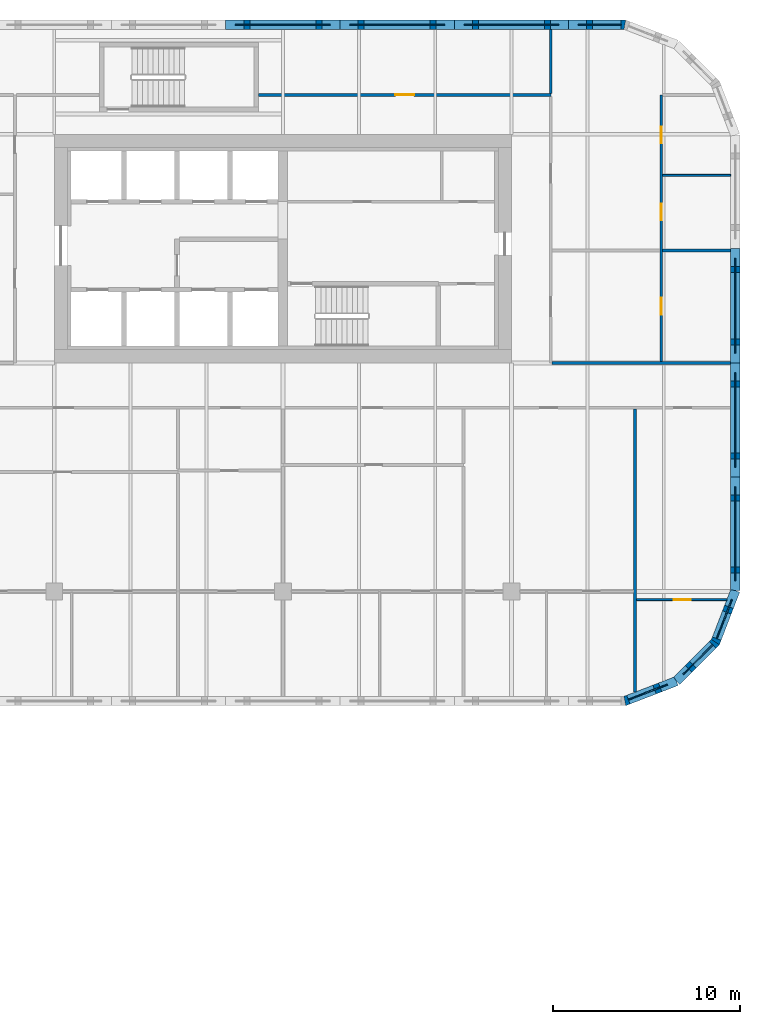
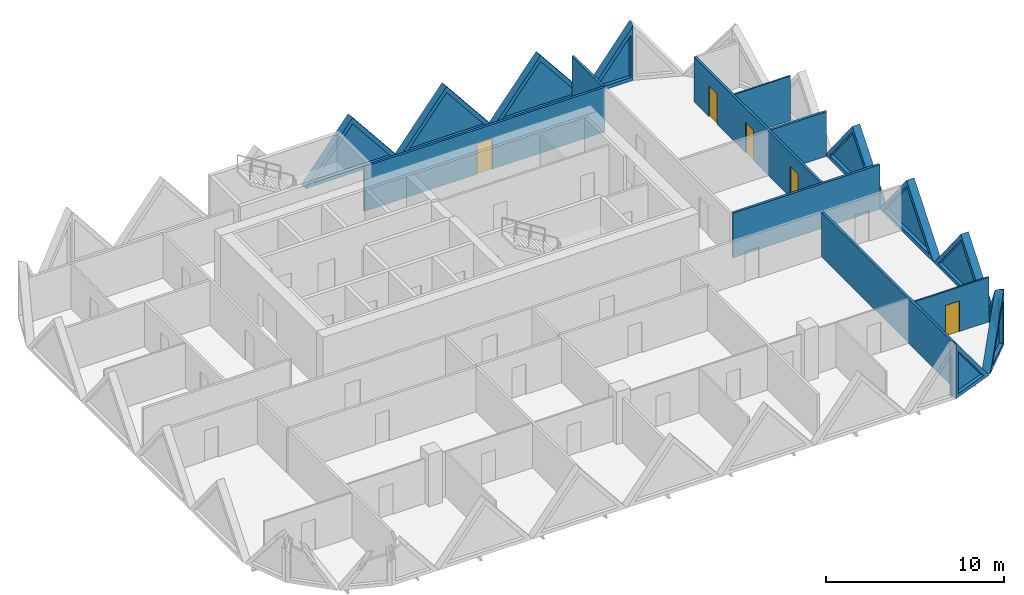
# One storey, part 15 of 19: 18 walls, 10 plates, 5 doors, 15 openings.
"""IFC4 building model written with IfcOpenShell, lengths in metres."""

import ifcopenshell
import ifcopenshell.guid

model = None  # the IFC model being written
_history = None  # IfcOwnerHistory: only IFC2X3 demands one
_inside = {}  # id of a spatial element -> (the spatial element, [elements in it])
_under = {}  # id of a project, library or spatial element -> (it, [spatial elements below it])
_declared = {}  # id of a project -> (the project, [libraries it declares])
_typed = {}  # id of a type object -> (the type object, [elements of that type])
_made_of = {}  # id of a material, layer set ... -> (it, [elements and type objects made of it])


def new_model(schema):
    """Start an empty IFC model of exactly this schema.

    Asked for "IFC4X3", IfcOpenShell would pick the latest addendum, in which some entities
    have other attributes; the version numbers below select the first issue.
    IFC2X3 requires an IfcOwnerHistory on every rooted entity: one is made here for all.
    """
    global model, _history
    if schema == "IFC4X3":
        model = ifcopenshell.file(schema_version=(4, 3, 0, 0))
    else:
        model = ifcopenshell.file(schema=schema)
    _inside.clear()
    _under.clear()
    _declared.clear()
    _typed.clear()
    _made_of.clear()
    _history = None
    if model.schema == "IFC2X3":
        org = make("IfcOrganization", Name="unknown")
        user = make(
            "IfcPersonAndOrganization",
            ThePerson=make("IfcPerson", FamilyName="unknown"),
            TheOrganization=org,
        )
        app = make(
            "IfcApplication",
            ApplicationDeveloper=org,
            Version="unknown",
            ApplicationFullName="unknown",
            ApplicationIdentifier="unknown",
        )
        _history = make(
            "IfcOwnerHistory",
            OwningUser=user,
            OwningApplication=app,
            ChangeAction="ADDED",
            CreationDate=0,
        )
    return model


def make(cls, **values):
    """One entity of the class cls with the attributes given. An attribute that is None is left unset."""
    return model.create_entity(
        cls, **{name: value for name, value in values.items() if value is not None}
    )


def rooted(cls, **values):
    """An entity with a GlobalId (a new one), such as an element, a storey or a relation."""
    return make(cls, GlobalId=ifcopenshell.guid.new(), OwnerHistory=_history, **values)


def si_unit(unit_type, name, prefix=None):
    """IfcSIUnit, for example si_unit("LENGTHUNIT", "METRE", prefix="MILLI")."""
    return make("IfcSIUnit", UnitType=unit_type, Prefix=prefix, Name=name)


def assignment(units):
    """IfcUnitAssignment: the units of a project."""
    return None if units is None else make("IfcUnitAssignment", Units=units)


def point(xyz):
    """IfcCartesianPoint."""
    return None if xyz is None else make("IfcCartesianPoint", Coordinates=xyz)


def direction(xyz):
    """IfcDirection."""
    return None if xyz is None else make("IfcDirection", DirectionRatios=xyz)


def frame(location, z_axis=None, x_axis=None):
    """IfcAxis2Placement3D, a coordinate frame: its origin and axes. An axis left out is left unset."""
    return make(
        "IfcAxis2Placement3D",
        Location=point(location),
        Axis=direction(z_axis),
        RefDirection=direction(x_axis),
    )


def frame_2d(location, x_axis=None):
    """IfcAxis2Placement2D, a coordinate frame in the plane: its origin and x axis."""
    return make(
        "IfcAxis2Placement2D", Location=point(location), RefDirection=direction(x_axis)
    )


def origin():
    """The frame at (0, 0, 0) with its axes left unset."""
    return frame((0.0, 0.0, 0.0))


def place(relative_to, where):
    """IfcLocalPlacement: puts the frame where relative to a parent placement (None: the world)."""
    return make(
        "IfcLocalPlacement", PlacementRelTo=relative_to, RelativePlacement=where
    )


def context(
    kind, dimensions, precision=None, world=None, true_north=None, identifier=None
):
    """IfcGeometricRepresentationContext, for example the 3D "Model" context."""
    return make(
        "IfcGeometricRepresentationContext",
        ContextIdentifier=identifier,
        ContextType=kind,
        CoordinateSpaceDimension=dimensions,
        Precision=precision,
        WorldCoordinateSystem=world,
        TrueNorth=true_north,
    )


def subcontext(parent, identifier, kind, view, scale=None):
    """IfcGeometricRepresentationSubContext, for example "Body" below "Model"."""
    return make(
        "IfcGeometricRepresentationSubContext",
        ContextIdentifier=identifier,
        ContextType=kind,
        ParentContext=parent,
        TargetScale=scale,
        TargetView=view,
    )


def project(units=None, contexts=None):
    """IfcProject with its units and contexts."""
    return rooted(
        "IfcProject",
        Name="project",
        RepresentationContexts=contexts,
        UnitsInContext=assignment(units),
    )


def spatial(cls, under=None, at=None, **own):
    """A site, building, storey or space (cls), placed at a placement, below another one or the project."""
    s = rooted(cls, ObjectPlacement=at, **own)
    if under is not None:
        _under.setdefault(under.id(), (under, []))[1].append(s)
    return s


def polyline(points):
    """IfcPolyline through the points."""
    return make("IfcPolyline", Points=[point(p) for p in points])


def profile(cls, at=None, kind="AREA", **sizes):
    """A parametric profile (cls). Its sizes go by their IFC names, for example OverallWidth=200.0."""
    return make(cls, ProfileType=kind, Position=at, **sizes)


def rectangle(**sizes):
    """IfcRectangleProfileDef."""
    return profile("IfcRectangleProfileDef", **sizes)


def outline(outer, holes=None, kind="AREA"):
    """IfcArbitraryClosedProfileDef: a profile drawn as a closed curve; with holes, ...WithVoids."""
    if holes is None:
        return make("IfcArbitraryClosedProfileDef", ProfileType=kind, OuterCurve=outer)
    return make(
        "IfcArbitraryProfileDefWithVoids",
        ProfileType=kind,
        OuterCurve=outer,
        InnerCurves=holes,
    )


def extrude(swept, where, along, depth):
    """IfcExtrudedAreaSolid: the profile swept, set in the frame where, extruded along a direction by depth."""
    return make(
        "IfcExtrudedAreaSolid",
        SweptArea=swept,
        Position=where,
        ExtrudedDirection=direction(along),
        Depth=depth,
    )


def faces_of(points, faces, orient=None, outer=None):
    """IfcFace entities. A face is a list of loops; a loop is a list of indices into points, from 0.

    orient and outer hold one flag for each loop. By default every Orientation is true, the
    first loop of a face is its IfcFaceOuterBound and the others are IfcFaceBound.
    """
    made = []
    for i, loops in enumerate(faces):
        bounds = []
        for j, loop in enumerate(loops):
            is_outer = j == 0 if outer is None else outer[i][j]
            bounds.append(
                make(
                    "IfcFaceOuterBound" if is_outer else "IfcFaceBound",
                    Bound=make("IfcPolyLoop", Polygon=[points[k] for k in loop]),
                    Orientation=True if orient is None else orient[i][j],
                )
            )
        made.append(make("IfcFace", Bounds=bounds))
    return made


def faceted_brep(points, faces, orient=None, outer=None, voids=None):
    """IfcFacetedBrep: a solid bounded by flat faces; with voids (closed shells), ...WithVoids."""
    shared = [point(p) for p in points]
    hull = make("IfcClosedShell", CfsFaces=faces_of(shared, faces, orient, outer))
    if voids is None:
        return make("IfcFacetedBrep", Outer=hull)
    return make(
        "IfcFacetedBrepWithVoids",
        Outer=hull,
        Voids=[
            make(cls, CfsFaces=faces_of(shared, fs, o, b)) for cls, fs, o, b in voids
        ],
    )


def shape(context_of_items, identifier, shape_type, items):
    """IfcShapeRepresentation: the items that make up one representation, for example the "Body"."""
    return make(
        "IfcShapeRepresentation",
        ContextOfItems=context_of_items,
        RepresentationIdentifier=identifier,
        RepresentationType=shape_type,
        Items=items,
    )


def source(mapping_origin, context_of_items, identifier, shape_type, items):
    """IfcRepresentationMap: a shape defined once, which mapped items show again and again."""
    return make(
        "IfcRepresentationMap",
        MappingOrigin=mapping_origin,
        MappedRepresentation=shape(context_of_items, identifier, shape_type, items),
    )


def transform(
    local_origin,
    x_axis=None,
    y_axis=None,
    z_axis=None,
    scale=None,
    scale2=None,
    scale3=None,
    uniform=True,
):
    """IfcCartesianTransformationOperator3D, or its non-uniform kind. x_axis, y_axis, z_axis: its Axis1, 2, 3."""
    if uniform:
        return make(
            "IfcCartesianTransformationOperator3D",
            Axis1=direction(x_axis),
            Axis2=direction(y_axis),
            LocalOrigin=point(local_origin),
            Scale=scale,
            Axis3=direction(z_axis),
        )
    return make(
        "IfcCartesianTransformationOperator3DnonUniform",
        Axis1=direction(x_axis),
        Axis2=direction(y_axis),
        LocalOrigin=point(local_origin),
        Scale=scale,
        Axis3=direction(z_axis),
        Scale2=scale2,
        Scale3=scale3,
    )


def mapped(mapping_source, mapping_target):
    """IfcMappedItem: shows the shape of a source again, moved by a transform."""
    return make(
        "IfcMappedItem", MappingSource=mapping_source, MappingTarget=mapping_target
    )


def material(Name=None, Category=None):
    """IfcMaterial."""
    return make("IfcMaterial", Name=Name, Category=Category)


def layer(
    of_material, thickness, ventilated=None, Name=None, Category=None, Priority=None
):
    """IfcMaterialLayer: one layer of a wall or slab, of a material (None: an air gap)."""
    return make(
        "IfcMaterialLayer",
        Material=of_material,
        LayerThickness=thickness,
        IsVentilated=ventilated,
        Name=Name,
        Category=Category,
        Priority=Priority,
    )


def layer_set(layers, Name=None):
    """IfcMaterialLayerSet."""
    return make("IfcMaterialLayerSet", MaterialLayers=layers, LayerSetName=Name)


def made_of(thing, what):
    """Note that an element or type object is made of a material, layer set ...; save() writes the relation."""
    if what is not None:
        _made_of.setdefault(what.id(), (what, []))[1].append(thing)
    return thing


def type_object(cls, material=None, **own):
    """A type object (cls), such as IfcWallType, which elements share."""
    return made_of(rooted(cls, **own), material)


def element(
    cls,
    number,
    at=None,
    inside=None,
    cuts=None,
    type_object=None,
    material=None,
    context=None,
    identifier="Body",
    shape_type=None,
    held_by="IfcProductDefinitionShape",
    body=None,
    shapes=None,
    **own,
):
    """One element of the class cls, such as IfcWall. Its Tag is "e" and its number.

    at: its placement. inside: the storey or other place that contains it. cuts: it is an
    opening in that element (IfcRelVoidsElement). A single representation is given by context,
    identifier, shape_type and body (its items); several are given by shapes. held_by: the class
    of the entity that holds the representations. save() writes the other relations.
    """
    e = rooted(cls, Tag="e%d" % number, ObjectPlacement=at, **own)
    if body is not None:
        shapes = [shape(context, identifier, shape_type, body)]
    if shapes is not None:
        e.Representation = make(held_by, Representations=shapes)
    if inside is not None:
        _inside.setdefault(inside.id(), (inside, []))[1].append(e)
    if cuts is not None:
        rooted(
            "IfcRelVoidsElement", RelatingBuildingElement=cuts, RelatedOpeningElement=e
        )
    if type_object is not None:
        _typed.setdefault(type_object.id(), (type_object, []))[1].append(e)
    return made_of(e, material)


def fill(opening, filler):
    """IfcRelFillsElement: the door or window that sits in an opening."""
    return rooted(
        "IfcRelFillsElement",
        RelatingOpeningElement=opening,
        RelatedBuildingElement=filler,
    )


def aggregate(whole, parts):
    """IfcRelAggregates: a whole, such as a stair, and the parts it consists of."""
    return rooted("IfcRelAggregates", RelatingObject=whole, RelatedObjects=parts)


def save(model, path):
    """Write the relations noted so far, then the file.

    IfcRelAggregates (storeys below a building ...), IfcRelContainedInSpatialStructure (elements
    in a storey), IfcRelDefinesByType, IfcRelAssociatesMaterial and IfcRelDeclares: one each for
    every whole, place, type object, material and project.
    """
    for whole, parts in _under.values():
        aggregate(whole, parts)
    for where, things in _inside.values():
        rooted(
            "IfcRelContainedInSpatialStructure",
            RelatedElements=things,
            RelatingStructure=where,
        )
    for kind, things in _typed.values():
        rooted("IfcRelDefinesByType", RelatedObjects=things, RelatingType=kind)
    for what, things in _made_of.values():
        rooted("IfcRelAssociatesMaterial", RelatedObjects=things, RelatingMaterial=what)
    for by, libraries in _declared.values():
        rooted("IfcRelDeclares", RelatingContext=by, RelatedDefinitions=libraries)
    model.write(path)


model = new_model("IFC4")

# Units and contexts
model_context = context("Model", 3, precision=1e-05, world=origin(), true_north=direction((0.0, 1.0)))
body_context = subcontext(model_context, "Body", "Model", "MODEL_VIEW")
ifc_project = project(units=[si_unit("LENGTHUNIT", "METRE"), si_unit("AREAUNIT", "SQUARE_METRE"), si_unit("VOLUMEUNIT", "CUBIC_METRE"), si_unit("PLANEANGLEUNIT", "RADIAN"), si_unit("MASSUNIT", "GRAM", prefix="KILO")], contexts=[model_context])

# Site, building, storey
site_placement = place(None, origin())
site = spatial("IfcSite", under=ifc_project, at=site_placement, CompositionType="ELEMENT")
building_placement = place(site_placement, origin())
building = spatial("IfcBuilding", under=site, at=building_placement, Name="Tessera Gate Towers", CompositionType="ELEMENT")
storey_placement = place(building_placement, frame((0.0, 0.0, 25.800048828125)))
storey = spatial("IfcBuildingStorey", under=building, at=storey_placement, Name="L05", CompositionType="ELEMENT", Elevation=25.800048828125)

# Wall
ifc_material_1 = material(Name="Gypsum board on steel studs, mineral wool", Category="steel")
ifc_layer_1 = layer(ifc_material_1, 0.14990234375)
ifc_layer_set_1 = layer_set([ifc_layer_1], Name="CORRIDOR WALL 150")
wall_type_1 = type_object("IfcWallType", Name="CORRIDOR WALL 150", PredefinedType="PARTITIONING", material=ifc_layer_set_1)
wall_1_placement = place(storey_placement, frame((124.176025390625, 36.60009765625, 0.0), z_axis=(0.0, 0.0, 1.0), x_axis=(1.0, 0.0, 0.0)))
element("IfcWall", 1, at=wall_1_placement, inside=storey, type_object=wall_type_1, Name="T2-L05-PW-031", PredefinedType="PARTITIONING", context=body_context, shape_type="SweptSolid", body=[
    extrude(rectangle(XDim=9.52392578125, YDim=0.14990234375, at=frame_2d((4.761962890625, 0.0))), origin(), (0.0, 0.0, 1.0), 3.06689453125),
])

# Wall, opening, door
wall_2_placement = place(storey_placement, frame((108.5, 50.89990234375, 0.0), z_axis=(0.0, 0.0, 1.0), x_axis=(1.0, 0.0, 0.0)))
wall_2 = element("IfcWall", 2, at=wall_2_placement, inside=storey, type_object=wall_type_1, Name="T2-L05-PW-043", PredefinedType="PARTITIONING", context=body_context, shape_type="SweptSolid", body=[
    extrude(rectangle(XDim=15.60009765625, YDim=0.14990234375, at=frame_2d((7.800048828125, 0.0))), origin(), (0.0, 0.0, 1.0), 3.06689453125),
])
shared_shape_1 = source(origin(), body_context, "Body", "SweptSolid", [
    extrude(rectangle(XDim=1.0, YDim=2.10009765625, at=frame_2d((0.5, 1.050048828125))), frame((0.0, 0.0849609375, 0.0), z_axis=(0.0, -1.0, 0.0), x_axis=(1.0, 0.0, 0.0)), (0.0, 0.0, 1.0), 0.169921875),
])
opening_1_placement = place(wall_2_placement, frame((7.300048828125, 0.0, 0.0)))
opening_1 = element("IfcOpeningElement", 3, at=opening_1_placement, cuts=wall_2, Name="Opening D2100FD60-B03-07", PredefinedType="OPENING", context=body_context, shape_type="MappedRepresentation", body=[
    mapped(shared_shape_1, transform((0.0, 0.0, 0.0), scale=1.0)),
])
ifc_material_2 = material(Name="Timber door leaf in steel frame", Category="steel")
door_type_1 = type_object("IfcDoorType", Name="TENANCY ENTRANCE DOOR 1000 FD60", OperationType="NOTDEFINED", PredefinedType="DOOR", material=ifc_material_2)
shared_shape_2 = source(origin(), body_context, "Body", "SweptSolid", [
    extrude(rectangle(XDim=1.0, YDim=2.10009765625, at=frame_2d((0.5, 1.050048828125))), frame((0.0, 0.02490234375, 0.0), z_axis=(0.0, -1.0, 0.0), x_axis=(1.0, 0.0, 0.0)), (0.0, 0.0, 1.0), 0.050048828125),
])
door_1_placement = place(opening_1_placement, origin())
door_1 = element("IfcDoor", 4, at=door_1_placement, inside=storey, type_object=door_type_1, Name="T2-L05-PD-029", OperationType="SINGLE_SWING_LEFT", OverallHeight=2.10009765625, OverallWidth=1.0, PredefinedType="DOOR", context=body_context, shape_type="MappedRepresentation", body=[
    mapped(shared_shape_2, transform((0.0, 0.0, 0.0), scale=1.0)),
])
fill(opening_1, door_1)

ifc_material_3 = material(Name="Glass", Category="glass")
ifc_layer_2 = layer(ifc_material_3, 0.10009765625)
ifc_layer_set_2 = layer_set([ifc_layer_2], Name="GLAZED PARTITION 100")
wall_type_2 = type_object("IfcWallType", Name="GLAZED PARTITION 100", PredefinedType="PARTITIONING", material=ifc_layer_set_2)
wall_3_placement = place(storey_placement, frame((133.496337890625, 23.965087890625, 0.0), z_axis=(0.0, 0.0, 1.0), x_axis=(-1.0, 0.0, 0.0)))
wall_3 = element("IfcWall", 5, at=wall_3_placement, inside=storey, type_object=wall_type_2, Name="T2-L05-PW-010", PredefinedType="PARTITIONING", context=body_context, shape_type="SweptSolid", body=[
    extrude(rectangle(XDim=4.8203125, YDim=0.10009765625, at=frame_2d((2.41015625, 0.0))), origin(), (0.0, 0.0, 1.0), 3.06689453125),
])
shared_shape_3 = source(origin(), body_context, "Body", "SweptSolid", [
    extrude(rectangle(XDim=0.89990234375, YDim=2.10009765625, at=frame_2d((0.449951171875, 1.050048828125))), frame((0.0, 0.06005859375, 0.0), z_axis=(0.0, -1.0, 0.0), x_axis=(1.0, 0.0, 0.0)), (0.0, 0.0, 1.0), 0.1201171875),
])
opening_2_placement = place(wall_3_placement, frame((1.92041015625, 0.0, 0.0)))
opening_2 = element("IfcOpeningElement", 6, at=opening_2_placement, cuts=wall_3, Name="Opening D690-B03-01", PredefinedType="OPENING", context=body_context, shape_type="MappedRepresentation", body=[
    mapped(shared_shape_3, transform((0.0, 0.0, 0.0), scale=1.0)),
])
ifc_material_4 = material(Name="Glass in aluminium frame", Category="aluminium")
door_type_2 = type_object("IfcDoorType", Name="GLAZED DOOR 900 NOT RATED", OperationType="NOTDEFINED", PredefinedType="DOOR", material=ifc_material_4)
shared_shape_4 = source(origin(), body_context, "Body", "SweptSolid", [
    extrude(rectangle(XDim=0.89990234375, YDim=2.10009765625, at=frame_2d((0.449951171875, 1.050048828125))), frame((0.0, 0.02490234375, 0.0), z_axis=(0.0, -1.0, 0.0), x_axis=(1.0, 0.0, 0.0)), (0.0, 0.0, 1.0), 0.050048828125),
])
door_2_placement = place(opening_2_placement, origin())
door_2 = element("IfcDoor", 7, at=door_2_placement, inside=storey, type_object=door_type_2, Name="T2-L05-PD-008", OperationType="SINGLE_SWING_RIGHT", OverallHeight=2.10009765625, OverallWidth=0.89990234375, PredefinedType="DOOR", context=body_context, shape_type="MappedRepresentation", body=[
    mapped(shared_shape_4, transform((0.0, 0.0, 0.0), scale=1.0)),
])
fill(opening_2, door_2)

# Walls
ifc_material_5 = material(Name="Gypsum board on steel studs", Category="steel")
ifc_layer_3 = layer(ifc_material_5, 0.10009765625)
ifc_layer_set_3 = layer_set([ifc_layer_3], Name="PARTITION 100")
wall_type_3 = type_object("IfcWallType", Name="PARTITION 100", PredefinedType="PARTITIONING", material=ifc_layer_set_3)
wall_4_placement = place(storey_placement, frame((130.075927734375, 46.610107421875, 0.0), z_axis=(0.0, 0.0, 1.0), x_axis=(1.0, 0.0, 0.0)))
element("IfcWall", 8, at=wall_4_placement, inside=storey, type_object=wall_type_3, Name="T2-L05-PW-040", PredefinedType="PARTITIONING", context=body_context, shape_type="SweptSolid", body=[
    extrude(rectangle(XDim=3.6240234375, YDim=0.10009765625, at=frame_2d((1.81201171875, 0.0))), origin(), (0.0, 0.0, 1.0), 3.06689453125),
])
ifc_material_6 = material(Name="Gypsum board on steel studs, mineral wool", Category="steel")
ifc_layer_4 = layer(ifc_material_6, 0.14990234375)
ifc_layer_set_4 = layer_set([ifc_layer_4], Name="TENANCY WALL 150")
wall_type_4 = type_object("IfcWallType", Name="TENANCY WALL 150", PredefinedType="PARTITIONING", material=ifc_layer_set_4)
wall_5_placement = place(storey_placement, frame((128.60009765625, 19.02880859375, 0.0), z_axis=(0.0, 0.0, 1.0), x_axis=(0.0, 1.0, 0.0)))
element("IfcWall", 9, at=wall_5_placement, inside=storey, type_object=wall_type_4, Name="T2-L05-PW-008", PredefinedType="PARTITIONING", context=body_context, shape_type="SweptSolid", body=[
    extrude(rectangle(XDim=15.09521484375, YDim=0.14990234375, at=frame_2d((7.547607421875, 0.0))), origin(), (0.0, 0.0, 1.0), 3.06689453125),
])

# Wall, openings, doors
wall_6_placement = place(storey_placement, frame((130.0, 50.89990234375, 0.0), z_axis=(0.0, 0.0, 1.0), x_axis=(0.0, -1.0, 0.0)))
wall_6 = element("IfcWall", 10, at=wall_6_placement, inside=storey, type_object=wall_type_4, Name="T2-L05-PW-033", PredefinedType="PARTITIONING", context=body_context, shape_type="SweptSolid", body=[
    extrude(rectangle(XDim=14.223876953125, YDim=0.14990234375, at=frame_2d((7.11181640625, 0.0))), origin(), (0.0, 0.0, 1.0), 3.06689453125),
])
shared_shape_5 = source(origin(), body_context, "Body", "SweptSolid", [
    extrude(rectangle(XDim=0.89990234375, YDim=2.10009765625, at=frame_2d((0.449951171875, 1.050048828125))), frame((0.0, 0.0849609375, 0.0), z_axis=(0.0, -1.0, 0.0), x_axis=(1.0, 0.0, 0.0)), (0.0, 0.0, 1.0), 0.169921875),
])
opening_3_placement = place(wall_6_placement, frame((5.799072265625, 0.0, 0.0)))
opening_3 = element("IfcOpeningElement", 11, at=opening_3_placement, cuts=wall_6, Name="Opening D190-B03-02", PredefinedType="OPENING", context=body_context, shape_type="MappedRepresentation", body=[
    mapped(shared_shape_5, transform((0.0, 0.0, 0.0), scale=1.0)),
])
opening_4_placement = place(wall_6_placement, frame((10.823974609375, 0.0, 0.0)))
opening_4 = element("IfcOpeningElement", 12, at=opening_4_placement, cuts=wall_6, Name="Opening D190-B03-14", PredefinedType="OPENING", context=body_context, shape_type="MappedRepresentation", body=[
    mapped(shared_shape_5, transform((0.0, 0.0, 0.0), scale=1.0)),
])
opening_5_placement = place(wall_6_placement, frame((1.690185546875, 0.0, 0.0)))
opening_5 = element("IfcOpeningElement", 13, at=opening_5_placement, cuts=wall_6, Name="Opening D190-B03-15", PredefinedType="OPENING", context=body_context, shape_type="MappedRepresentation", body=[
    mapped(shared_shape_5, transform((0.0, 0.0, 0.0), scale=1.0)),
])
ifc_material_7 = material(Name="Timber door leaf in steel frame", Category="steel")
door_type_3 = type_object("IfcDoorType", Name="INTERNAL DOOR 900 NOT RATED", OperationType="NOTDEFINED", PredefinedType="DOOR", material=ifc_material_7)
door_3_placement = place(opening_3_placement, origin())
door_3 = element("IfcDoor", 14, at=door_3_placement, inside=storey, type_object=door_type_3, Name="T2-L05-PD-002", OperationType="SINGLE_SWING_RIGHT", OverallHeight=2.10009765625, OverallWidth=0.89990234375, PredefinedType="DOOR", context=body_context, shape_type="MappedRepresentation", body=[
    mapped(shared_shape_4, transform((0.0, 0.0, 0.0), scale=1.0)),
])
fill(opening_3, door_3)
door_4_placement = place(opening_4_placement, origin())
door_4 = element("IfcDoor", 15, at=door_4_placement, inside=storey, type_object=door_type_3, Name="T2-L05-PD-018", OperationType="SINGLE_SWING_RIGHT", OverallHeight=2.10009765625, OverallWidth=0.89990234375, PredefinedType="DOOR", context=body_context, shape_type="MappedRepresentation", body=[
    mapped(shared_shape_4, transform((0.0, 0.0, 0.0), scale=1.0)),
])
fill(opening_4, door_4)
door_5_placement = place(opening_5_placement, origin())
door_5 = element("IfcDoor", 16, at=door_5_placement, inside=storey, type_object=door_type_3, Name="T2-L05-PD-020", OperationType="SINGLE_SWING_RIGHT", OverallHeight=2.10009765625, OverallWidth=0.89990234375, PredefinedType="DOOR", context=body_context, shape_type="MappedRepresentation", body=[
    mapped(shared_shape_4, transform((0.0, 0.0, 0.0), scale=1.0)),
])
fill(opening_5, door_5)

# Walls
wall_7_placement = place(storey_placement, frame((130.075927734375, 42.60009765625, 0.0), z_axis=(0.0, 0.0, 1.0), x_axis=(1.0, 0.0, 0.0)))
element("IfcWall", 17, at=wall_7_placement, inside=storey, type_object=wall_type_4, Name="T2-L05-PW-036", PredefinedType="PARTITIONING", context=body_context, shape_type="SweptSolid", body=[
    extrude(rectangle(XDim=3.6240234375, YDim=0.14990234375, at=frame_2d((1.81201171875, 0.0))), origin(), (0.0, 0.0, 1.0), 3.06689453125),
])
wall_8_placement = place(storey_placement, frame((124.10009765625, 50.97607421875, 0.0), z_axis=(0.0, 0.0, 1.0), x_axis=(0.0, 1.0, 0.0)))
element("IfcWall", 18, at=wall_8_placement, inside=storey, type_object=wall_type_4, Name="T2-L05-PW-045", PredefinedType="PARTITIONING", context=body_context, shape_type="SweptSolid", body=[
    extrude(rectangle(XDim=3.423828125, YDim=0.14990234375, at=frame_2d((1.7119140625, 0.0))), origin(), (0.0, 0.0, 1.0), 3.06689453125),
])

# Wall, opening, plate
ifc_material_8 = material(Name="Precast concrete C60/75 white", Category="concrete")
ifc_layer_5 = layer(ifc_material_8, 0.5)
ifc_layer_set_5 = layer_set([ifc_layer_5], Name="TS3 corner tessera")
wall_type_5 = type_object("IfcWallType", Name="TS3 corner tessera", PredefinedType="SOLIDWALL", material=ifc_layer_set_5)
shared_shape_6 = source(origin(), body_context, "Body", "Brep", [
    faceted_brep([(3.050048828125, -0.25, 0.0), (0.046630859375, -0.25, 3.800048828125), (0.0, -0.25, 3.739990234375), (0.0, -0.25, 0.0), (0.09326171875, 0.25, 3.7412109375), (3.050048828125, 0.25, 0.0), (0.09326171875, 0.25, 0.0), (0.046630859375, 0.0, 3.800048828125)], [[[0, 1, 2, 3]], [[4, 5, 6]], [[5, 4, 7, 1, 0]], [[2, 1, 7]], [[6, 5, 0, 3]], [[6, 3, 2, 7, 4]]]),
])
wall_9_placement = place(storey_placement, frame((128.10009765625, 54.64990234375, 0.0), z_axis=(0.0, 0.0, 1.0), x_axis=(-1.0, 0.0, 0.0)))
wall_9 = element("IfcWall", 19, at=wall_9_placement, inside=storey, type_object=wall_type_5, Name="Precast corner tessera T2 TS3-0058", PredefinedType="SOLIDWALL", context=body_context, shape_type="MappedRepresentation", body=[
    mapped(shared_shape_6, transform((0.0, 0.0, 0.0), scale=1.0)),
])
shared_shape_7 = source(origin(), body_context, "Body", "SweptSolid", [
    extrude(outline(polyline([(2.533935546875, 0.25), (0.24658203125, 3.143798828125), (0.24658203125, 0.25), (2.533935546875, 0.25)])), frame((0.0, 0.260009765625, 0.0), z_axis=(0.0, -1.0, 0.0), x_axis=(1.0, 0.0, 0.0)), (0.0, 0.0, 1.0), 0.52001953125),
])
opening_6_placement = place(wall_9_placement, origin())
opening_6 = element("IfcOpeningElement", 20, at=opening_6_placement, cuts=wall_9, Name="Opening T2-PL1-0086", PredefinedType="OPENING", context=body_context, shape_type="MappedRepresentation", body=[
    mapped(shared_shape_7, transform((0.0, 0.0, 0.0), scale=1.0)),
])
ifc_material_9 = material(Name="Low-e laminated glass", Category="glass")
ifc_layer_6 = layer(ifc_material_9, 0.06005859375)
ifc_layer_set_6 = layer_set([ifc_layer_6], Name="PL1 triangular pane")
plate_type = type_object("IfcPlateType", Name="PL1 triangular pane", PredefinedType="SHEET", material=ifc_layer_set_6)
shared_shape_8 = source(origin(), body_context, "Body", "SweptSolid", [
    extrude(outline(polyline([(2.533935546875, 0.25), (0.24658203125, 3.143798828125), (0.24658203125, 0.25), (2.533935546875, 0.25)])), frame((0.0, 0.030029296875, 0.0), z_axis=(0.0, -1.0, 0.0), x_axis=(1.0, 0.0, 0.0)), (0.0, 0.0, 1.0), 0.06005859375),
])
plate_1_placement = place(opening_6_placement, origin())
plate_1 = element("IfcPlate", 21, at=plate_1_placement, inside=storey, type_object=plate_type, Name="Glass pane T2 PL1-0086", PredefinedType="SHEET", context=body_context, shape_type="MappedRepresentation", body=[
    mapped(shared_shape_8, transform((0.0, 0.0, 0.0), scale=1.0)),
])
fill(opening_6, plate_1)

ifc_material_10 = material(Name="Precast concrete C60/75 white", Category="concrete")
ifc_layer_7 = layer(ifc_material_10, 0.5)
ifc_layer_set_7 = layer_set([ifc_layer_7], Name="TS2 half tessera")
wall_type_6 = type_object("IfcWallType", Name="TS2 half tessera", PredefinedType="SOLIDWALL", material=ifc_layer_set_7)
shared_shape_9 = source(origin(), body_context, "Body", "Brep", [
    faceted_brep([(6.099853515625, -0.25, 0.000244140625), (3.050048828125, -0.25, 3.800048828125), (0.0, -0.25, 0.0), (6.099853515625, -0.25, 0.0), (0.0, 0.25, 0.0), (3.050048828125, 0.25, 3.800048828125), (6.099853515625, 0.25, 0.000244140625), (6.099853515625, 0.25, 0.0)], [[[0, 1, 2, 3]], [[4, 5, 6, 7]], [[6, 5, 1, 0]], [[5, 4, 2, 1]], [[4, 7, 3, 2]], [[3, 7, 6, 0]]]),
])
wall_10_placement = place(storey_placement, frame((133.949951171875, 36.60009765625, 0.0), z_axis=(0.0, 0.0, 1.0), x_axis=(0.0, 1.0, 0.0)))
wall_10 = element("IfcWall", 22, at=wall_10_placement, inside=storey, type_object=wall_type_6, Name="Precast half tessera T2 TS2-0043", PredefinedType="SOLIDWALL", context=body_context, shape_type="MappedRepresentation", body=[
    mapped(shared_shape_9, transform((0.0, 0.0, 0.0), scale=1.0)),
])
shared_shape_10 = source(origin(), body_context, "Body", "SweptSolid", [
    extrude(outline(polyline([(5.578857421875, 0.25), (3.050048828125, 3.400634765625), (0.521240234375, 0.25), (5.578857421875, 0.25)])), frame((0.0, 0.260009765625, 0.0), z_axis=(0.0, -1.0, 0.0), x_axis=(1.0, 0.0, 0.0)), (0.0, 0.0, 1.0), 0.52001953125),
])
opening_7_placement = place(wall_10_placement, origin())
opening_7 = element("IfcOpeningElement", 23, at=opening_7_placement, cuts=wall_10, Name="Opening T2-PL1-0081", PredefinedType="OPENING", context=body_context, shape_type="MappedRepresentation", body=[
    mapped(shared_shape_10, transform((0.0, 0.0, 0.0), scale=1.0)),
])
shared_shape_11 = source(origin(), body_context, "Body", "SweptSolid", [
    extrude(outline(polyline([(5.578857421875, 0.25), (3.050048828125, 3.400634765625), (0.521240234375, 0.25), (5.578857421875, 0.25)])), frame((0.0, 0.030029296875, 0.0), z_axis=(0.0, -1.0, 0.0), x_axis=(1.0, 0.0, 0.0)), (0.0, 0.0, 1.0), 0.06005859375),
])
plate_2_placement = place(opening_7_placement, origin())
plate_2 = element("IfcPlate", 24, at=plate_2_placement, inside=storey, type_object=plate_type, Name="Glass pane T2 PL1-0081", PredefinedType="SHEET", context=body_context, shape_type="MappedRepresentation", body=[
    mapped(shared_shape_11, transform((0.0, 0.0, 0.0), scale=1.0)),
])
fill(opening_7, plate_2)

wall_11_placement = place(storey_placement, frame((118.949951171875, 54.64990234375, 0.0), z_axis=(0.0, 0.0, 1.0), x_axis=(-1.0, 0.0, 0.0)))
wall_11 = element("IfcWall", 25, at=wall_11_placement, inside=storey, type_object=wall_type_6, Name="Precast half tessera T2 TS2-0046", PredefinedType="SOLIDWALL", context=body_context, shape_type="MappedRepresentation", body=[
    mapped(shared_shape_9, transform((0.0, 0.0, 0.0), scale=1.0)),
])
opening_8_placement = place(wall_11_placement, origin())
opening_8 = element("IfcOpeningElement", 26, at=opening_8_placement, cuts=wall_11, Name="Opening T2-PL1-0088", PredefinedType="OPENING", context=body_context, shape_type="MappedRepresentation", body=[
    mapped(shared_shape_10, transform((0.0, 0.0, 0.0), scale=1.0)),
])
plate_3_placement = place(opening_8_placement, origin())
plate_3 = element("IfcPlate", 27, at=plate_3_placement, inside=storey, type_object=plate_type, Name="Glass pane T2 PL1-0088", PredefinedType="SHEET", context=body_context, shape_type="MappedRepresentation", body=[
    mapped(shared_shape_11, transform((0.0, 0.0, 0.0), scale=1.0)),
])
fill(opening_8, plate_3)

shared_shape_12 = source(origin(), body_context, "Body", "SweptSolid", [
    extrude(outline(polyline([(6.10009765625, 0.0), (3.050048828125, 3.800048828125), (0.0, 0.0), (6.10009765625, 0.0)])), frame((0.0, 0.25, 0.0), z_axis=(0.0, -1.0, 0.0), x_axis=(1.0, 0.0, 0.0)), (0.0, 0.0, 1.0), 0.5),
])
wall_12_placement = place(storey_placement, frame((133.949951171875, 30.5, 0.0), z_axis=(0.0, 0.0, 1.0), x_axis=(0.0, 1.0, 0.0)))
wall_12 = element("IfcWall", 28, at=wall_12_placement, inside=storey, type_object=wall_type_6, Name="Precast half tessera T2 TS2-0042", PredefinedType="SOLIDWALL", context=body_context, shape_type="MappedRepresentation", body=[
    mapped(shared_shape_12, transform((0.0, 0.0, 0.0), scale=1.0)),
])
opening_9_placement = place(wall_12_placement, origin())
opening_9 = element("IfcOpeningElement", 29, at=opening_9_placement, cuts=wall_12, Name="Opening T2-PL1-0080", PredefinedType="OPENING", context=body_context, shape_type="MappedRepresentation", body=[
    mapped(shared_shape_10, transform((0.0, 0.0, 0.0), scale=1.0)),
])
plate_4_placement = place(opening_9_placement, origin())
plate_4 = element("IfcPlate", 30, at=plate_4_placement, inside=storey, type_object=plate_type, Name="Glass pane T2 PL1-0080", PredefinedType="SHEET", context=body_context, shape_type="MappedRepresentation", body=[
    mapped(shared_shape_11, transform((0.0, 0.0, 0.0), scale=1.0)),
])
fill(opening_9, plate_4)

wall_13_placement = place(storey_placement, frame((125.050048828125, 54.64990234375, 0.0), z_axis=(0.0, 0.0, 1.0), x_axis=(-1.0, 0.0, 0.0)))
wall_13 = element("IfcWall", 31, at=wall_13_placement, inside=storey, type_object=wall_type_6, Name="Precast half tessera T2 TS2-0045", PredefinedType="SOLIDWALL", context=body_context, shape_type="MappedRepresentation", body=[
    mapped(shared_shape_12, transform((0.0, 0.0, 0.0), scale=1.0)),
])
opening_10_placement = place(wall_13_placement, origin())
opening_10 = element("IfcOpeningElement", 32, at=opening_10_placement, cuts=wall_13, Name="Opening T2-PL1-0087", PredefinedType="OPENING", context=body_context, shape_type="MappedRepresentation", body=[
    mapped(shared_shape_10, transform((0.0, 0.0, 0.0), scale=1.0)),
])
plate_5_placement = place(opening_10_placement, origin())
plate_5 = element("IfcPlate", 33, at=plate_5_placement, inside=storey, type_object=plate_type, Name="Glass pane T2 PL1-0087", PredefinedType="SHEET", context=body_context, shape_type="MappedRepresentation", body=[
    mapped(shared_shape_11, transform((0.0, 0.0, 0.0), scale=1.0)),
])
fill(opening_10, plate_5)

wall_14_placement = place(storey_placement, frame((112.85009765625, 54.64990234375, 0.0), z_axis=(0.0, 0.0, 1.0), x_axis=(-1.0, 0.0, 0.0)))
wall_14 = element("IfcWall", 34, at=wall_14_placement, inside=storey, type_object=wall_type_6, Name="Precast half tessera T2 TS2-0047", PredefinedType="SOLIDWALL", context=body_context, shape_type="MappedRepresentation", body=[
    mapped(shared_shape_12, transform((0.0, 0.0, 0.0), scale=1.0)),
])
opening_11_placement = place(wall_14_placement, origin())
opening_11 = element("IfcOpeningElement", 35, at=opening_11_placement, cuts=wall_14, Name="Opening T2-PL1-0089", PredefinedType="OPENING", context=body_context, shape_type="MappedRepresentation", body=[
    mapped(shared_shape_10, transform((0.0, 0.0, 0.0), scale=1.0)),
])
plate_6_placement = place(opening_11_placement, origin())
plate_6 = element("IfcPlate", 36, at=plate_6_placement, inside=storey, type_object=plate_type, Name="Glass pane T2 PL1-0089", PredefinedType="SHEET", context=body_context, shape_type="MappedRepresentation", body=[
    mapped(shared_shape_11, transform((0.0, 0.0, 0.0), scale=1.0)),
])
fill(opening_11, plate_6)

shared_shape_13 = source(origin(), body_context, "Body", "Brep", [
    faceted_brep([(2.9970703125, -0.25, 0.0), (0.046630859375, -0.25, 3.800048828125), (0.0, -0.25, 3.7412109375), (0.0, -0.25, 0.0), (0.09326171875, 0.25, 3.739990234375), (2.9443359375, 0.25, 0.068115234375), (2.9443359375, 0.25, 0.0), (0.09326171875, 0.25, 0.0), (0.046630859375, 0.0, 3.800048828125), (2.9970703125, 0.00048828125, 0.0)], [[[0, 1, 2, 3]], [[4, 5, 6, 7]], [[5, 4, 8, 1, 0, 9]], [[2, 1, 8]], [[7, 6, 9, 0, 3]], [[7, 3, 2, 8, 4]], [[9, 6, 5]]]),
])
wall_15_placement = place(storey_placement, frame((128.010009765625, 18.533203125, 0.0), z_axis=(0.0, 0.0, 1.0), x_axis=(0.932990326376, 0.359901446078, 0.0)))
wall_15 = element("IfcWall", 37, at=wall_15_placement, inside=storey, type_object=wall_type_5, Name="Precast corner tessera T2 TS3-0052", PredefinedType="SOLIDWALL", context=body_context, shape_type="MappedRepresentation", body=[
    mapped(shared_shape_13, transform((0.0, 0.0, 0.0), scale=1.0)),
])
shared_shape_14 = source(origin(), body_context, "Body", "SweptSolid", [
    extrude(outline(polyline([(2.486572265625, 0.25), (0.24658203125, 3.134765625), (0.24658203125, 0.25), (2.486572265625, 0.25)])), frame((0.0, 0.260009765625, 0.0), z_axis=(0.0, -1.0, 0.0), x_axis=(1.0, 0.0, 0.0)), (0.0, 0.0, 1.0), 0.52001953125),
])
opening_12_placement = place(wall_15_placement, origin())
opening_12 = element("IfcOpeningElement", 38, at=opening_12_placement, cuts=wall_15, Name="Opening T2-PL1-0076", PredefinedType="OPENING", context=body_context, shape_type="MappedRepresentation", body=[
    mapped(shared_shape_14, transform((0.0, 0.0, 0.0), scale=1.0)),
])
shared_shape_15 = source(origin(), body_context, "Body", "SweptSolid", [
    extrude(outline(polyline([(2.486572265625, 0.25), (0.24658203125, 3.134765625), (0.24658203125, 0.25), (2.486572265625, 0.25)])), frame((0.0, 0.030029296875, 0.0), z_axis=(0.0, -1.0, 0.0), x_axis=(1.0, 0.0, 0.0)), (0.0, 0.0, 1.0), 0.06005859375),
])
plate_7_placement = place(opening_12_placement, origin())
plate_7 = element("IfcPlate", 39, at=plate_7_placement, inside=storey, type_object=plate_type, Name="Glass pane T2 PL1-0076", PredefinedType="SHEET", context=body_context, shape_type="MappedRepresentation", body=[
    mapped(shared_shape_15, transform((0.0, 0.0, 0.0), scale=1.0)),
])
fill(opening_12, plate_7)

shared_shape_16 = source(origin(), body_context, "Body", "Brep", [
    faceted_brep([(6.053466796875, -0.25, 0.0), (3.00341796875, -0.25, 3.800048828125), (0.0, -0.25, 0.0), (0.046630859375, 0.25, 0.058837890625), (3.00341796875, 0.25, 3.800048828125), (6.053466796875, 0.25, 0.0), (0.046630859375, 0.25, 0.0), (0.0, 0.0, 0.0)], [[[0, 1, 2]], [[3, 4, 5, 6]], [[5, 4, 1, 0]], [[4, 3, 7, 2, 1]], [[6, 5, 0, 2, 7]], [[6, 7, 3]]]),
])
wall_16_placement = place(storey_placement, frame((133.949951171875, 24.446533203125, 0.0), z_axis=(0.0, 0.0, 1.0), x_axis=(0.0, 1.0, 0.0)))
wall_16 = element("IfcWall", 40, at=wall_16_placement, inside=storey, type_object=wall_type_6, Name="Precast half tessera T2 TS2-0041", PredefinedType="SOLIDWALL", context=body_context, shape_type="MappedRepresentation", body=[
    mapped(shared_shape_16, transform((0.0, 0.0, 0.0), scale=1.0)),
])
shared_shape_17 = source(origin(), body_context, "Body", "SweptSolid", [
    extrude(outline(polyline([(5.5322265625, 0.25), (3.0048828125, 3.398681640625), (0.516357421875, 0.25), (5.5322265625, 0.25)])), frame((0.0, 0.260009765625, 0.0), z_axis=(0.0, -1.0, 0.0), x_axis=(1.0, 0.0, 0.0)), (0.0, 0.0, 1.0), 0.52001953125),
])
opening_13_placement = place(wall_16_placement, origin())
opening_13 = element("IfcOpeningElement", 41, at=opening_13_placement, cuts=wall_16, Name="Opening T2-PL1-0079", PredefinedType="OPENING", context=body_context, shape_type="MappedRepresentation", body=[
    mapped(shared_shape_17, transform((0.0, 0.0, 0.0), scale=1.0)),
])
shared_shape_18 = source(origin(), body_context, "Body", "SweptSolid", [
    extrude(outline(polyline([(5.5322265625, 0.25), (3.0048828125, 3.398681640625), (0.516357421875, 0.25), (5.5322265625, 0.25)])), frame((0.0, 0.030029296875, 0.0), z_axis=(0.0, -1.0, 0.0), x_axis=(1.0, 0.0, 0.0)), (0.0, 0.0, 1.0), 0.06005859375),
])
plate_8_placement = place(opening_13_placement, origin())
plate_8 = element("IfcPlate", 42, at=plate_8_placement, inside=storey, type_object=plate_type, Name="Glass pane T2 PL1-0079", PredefinedType="SHEET", context=body_context, shape_type="MappedRepresentation", body=[
    mapped(shared_shape_18, transform((0.0, 0.0, 0.0), scale=1.0)),
])
fill(opening_13, plate_8)

shared_shape_19 = source(origin(), body_context, "Body", "Brep", [
    faceted_brep([(2.9970703125, -0.25, 3.73193359375), (2.944091796875, -0.25, 3.800048828125), (0.0, -0.25, 0.0), (2.9970703125, -0.25, 0.0), (0.052978515625, 0.25, 0.068359375), (2.89111328125, 0.25, 3.73193359375), (2.89111328125, 0.25, 0.0), (0.052978515625, 0.25, 0.0), (2.944091796875, 0.000244140625, 3.800048828125), (0.0, 0.0, 0.0)], [[[0, 1, 2, 3]], [[4, 5, 6, 7]], [[8, 1, 0]], [[5, 4, 9, 2, 1, 8]], [[7, 6, 3, 2, 9]], [[7, 9, 4]], [[3, 6, 5, 8, 0]]]),
])
wall_17_placement = place(storey_placement, frame((130.80615234375, 19.61181640625, 0.0), z_axis=(0.0, 0.0, 1.0), x_axis=(0.707106781187, 0.707106781187, 0.0)))
wall_17 = element("IfcWall", 43, at=wall_17_placement, inside=storey, type_object=wall_type_5, Name="Precast corner tessera T2 TS3-0053", PredefinedType="SOLIDWALL", context=body_context, shape_type="MappedRepresentation", body=[
    mapped(shared_shape_19, transform((0.0, 0.0, 0.0), scale=1.0)),
])
shared_shape_20 = source(origin(), body_context, "Body", "SweptSolid", [
    extrude(outline(polyline([(2.744140625, 3.133544921875), (0.510009765625, 0.25), (2.744140625, 0.25), (2.744140625, 3.133544921875)])), frame((0.0, 0.260009765625, 0.0), z_axis=(0.0, -1.0, 0.0), x_axis=(1.0, 0.0, 0.0)), (0.0, 0.0, 1.0), 0.52001953125),
])
opening_14_placement = place(wall_17_placement, origin())
opening_14 = element("IfcOpeningElement", 44, at=opening_14_placement, cuts=wall_17, Name="Opening T2-PL1-0077", PredefinedType="OPENING", context=body_context, shape_type="MappedRepresentation", body=[
    mapped(shared_shape_20, transform((0.0, 0.0, 0.0), scale=1.0)),
])
shared_shape_21 = source(origin(), body_context, "Body", "SweptSolid", [
    extrude(outline(polyline([(2.744140625, 3.133544921875), (0.510009765625, 0.25), (2.744140625, 0.25), (2.744140625, 3.133544921875)])), frame((0.0, 0.030029296875, 0.0), z_axis=(0.0, -1.0, 0.0), x_axis=(1.0, 0.0, 0.0)), (0.0, 0.0, 1.0), 0.06005859375),
])
plate_9_placement = place(opening_14_placement, origin())
plate_9 = element("IfcPlate", 45, at=plate_9_placement, inside=storey, type_object=plate_type, Name="Glass pane T2 PL1-0077", PredefinedType="SHEET", context=body_context, shape_type="MappedRepresentation", body=[
    mapped(shared_shape_21, transform((0.0, 0.0, 0.0), scale=1.0)),
])
fill(opening_14, plate_9)

shared_shape_22 = source(origin(), body_context, "Body", "Brep", [
    faceted_brep([(3.00341796875, -0.25, 0.0), (0.052978515625, -0.25, 3.800048828125), (0.0, -0.25, 3.731689453125), (0.0, -0.25, 0.0), (0.10595703125, 0.25, 3.73193359375), (2.95703125, 0.25, 0.059814453125), (2.95703125, 0.25, 0.0), (0.10595703125, 0.25, 0.0), (0.052978515625, 0.0, 3.800048828125), (3.00341796875, 0.00048828125, 0.0)], [[[0, 1, 2, 3]], [[4, 5, 6, 7]], [[5, 4, 8, 1, 0, 9]], [[2, 1, 8]], [[7, 6, 9, 0, 3]], [[7, 3, 2, 8, 4]], [[9, 6, 5]]]),
])
wall_18_placement = place(storey_placement, frame((132.869140625, 21.644287109375, 0.0), z_axis=(0.0, 0.0, 1.0), x_axis=(0.359855894603, 0.933007896601, 0.0)))
wall_18 = element("IfcWall", 46, at=wall_18_placement, inside=storey, type_object=wall_type_5, Name="Precast corner tessera T2 TS3-0054", PredefinedType="SOLIDWALL", context=body_context, shape_type="MappedRepresentation", body=[
    mapped(shared_shape_22, transform((0.0, 0.0, 0.0), scale=1.0)),
])
shared_shape_23 = source(origin(), body_context, "Body", "SweptSolid", [
    extrude(outline(polyline([(2.492919921875, 0.25), (0.2529296875, 3.134765625), (0.2529296875, 0.25), (2.492919921875, 0.25)])), frame((0.0, 0.260009765625, 0.0), z_axis=(0.0, -1.0, 0.0), x_axis=(1.0, 0.0, 0.0)), (0.0, 0.0, 1.0), 0.52001953125),
])
opening_15_placement = place(wall_18_placement, origin())
opening_15 = element("IfcOpeningElement", 47, at=opening_15_placement, cuts=wall_18, Name="Opening T2-PL1-0078", PredefinedType="OPENING", context=body_context, shape_type="MappedRepresentation", body=[
    mapped(shared_shape_23, transform((0.0, 0.0, 0.0), scale=1.0)),
])
shared_shape_24 = source(origin(), body_context, "Body", "SweptSolid", [
    extrude(outline(polyline([(2.492919921875, 0.25), (0.2529296875, 3.134765625), (0.2529296875, 0.25), (2.492919921875, 0.25)])), frame((0.0, 0.030029296875, 0.0), z_axis=(0.0, -1.0, 0.0), x_axis=(1.0, 0.0, 0.0)), (0.0, 0.0, 1.0), 0.06005859375),
])
plate_10_placement = place(opening_15_placement, origin())
plate_10 = element("IfcPlate", 48, at=plate_10_placement, inside=storey, type_object=plate_type, Name="Glass pane T2 PL1-0078", PredefinedType="SHEET", context=body_context, shape_type="MappedRepresentation", body=[
    mapped(shared_shape_24, transform((0.0, 0.0, 0.0), scale=1.0)),
])
fill(opening_15, plate_10)

save(model, "model.ifc")
